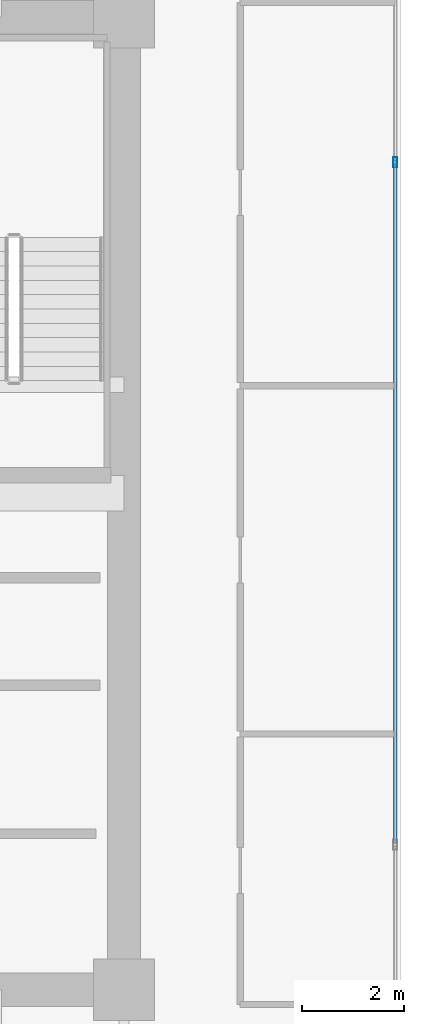
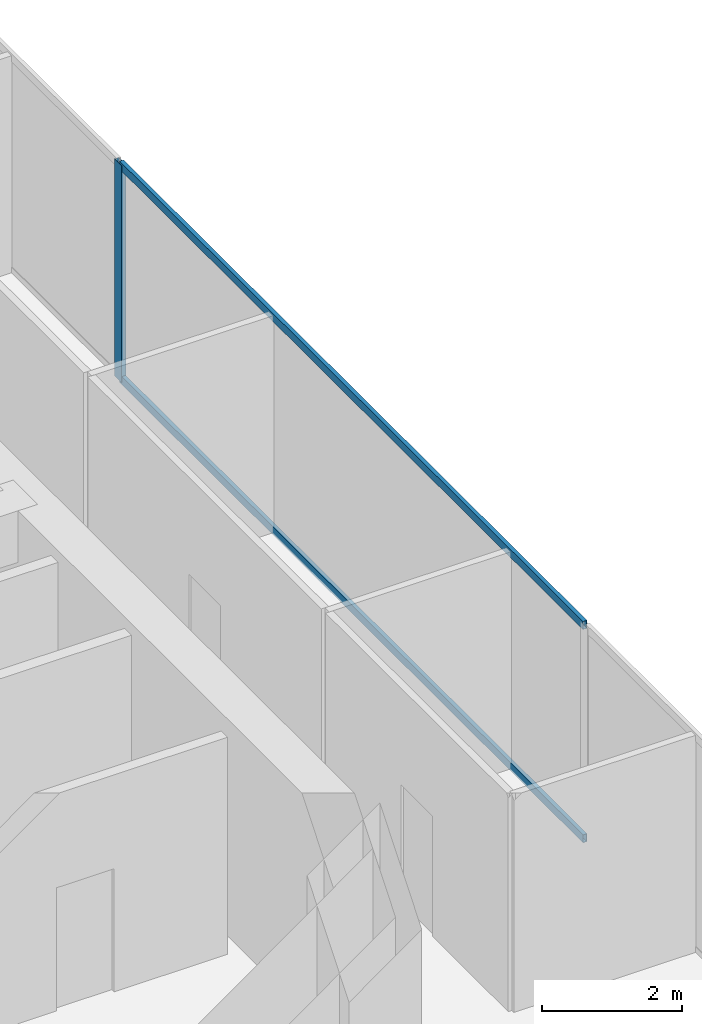
# One storey, part 20 of 30: 3 members, 1 element without a shape of its own.
"""IFC4 building model written with IfcOpenShell, lengths in metres."""

from ifc_helpers import new_model, si_unit, direction, frame, origin, origin_2d, place, context, subcontext, project, spatial, hollow_rectangle, extrude, source, transform, mapped, material, layer, layer_set, material_profile, profile_set, type_object, type_shapes, element, aggregate, save


model = new_model("IFC4")

# Units and contexts
model_context = context("Model", 3, precision=1e-05, world=origin(), true_north=direction((0.0, 1.0)))
body_context = subcontext(model_context, "Body", "Model", "MODEL_VIEW")
ifc_project = project(units=[si_unit("LENGTHUNIT", "METRE"), si_unit("AREAUNIT", "SQUARE_METRE"), si_unit("VOLUMEUNIT", "CUBIC_METRE"), si_unit("PLANEANGLEUNIT", "RADIAN"), si_unit("MASSUNIT", "GRAM", prefix="KILO")], contexts=[model_context])

# Site, building, storey
site_placement = place(None, origin())
site = spatial("IfcSite", under=ifc_project, at=site_placement, CompositionType="ELEMENT")
building_placement = place(site_placement, origin())
building = spatial("IfcBuilding", under=site, at=building_placement, Name="Haelvirn Gate Laboratories", CompositionType="ELEMENT")
storey_placement = place(building_placement, frame((0.0, 0.0, 146.10009765625)))
storey = spatial("IfcBuildingStorey", under=building, at=storey_placement, Name="L35", CompositionType="ELEMENT", Elevation=146.10009765625)

# Curtain wall, members
ifc_material_1 = material(Name="Anodised bronze unitised aluminium & triple low-E glass", Category="aluminium")
ifc_layer = layer(ifc_material_1, 0.179931640625, Name="CW-SYS-3")
ifc_layer_set = layer_set([ifc_layer], Name="Anodised bronze unitised aluminium & triple low-E glass")
curtain_wall_type = type_object("IfcCurtainWallType", Name="CW-SYS-3", PredefinedType="NOTDEFINED", material=ifc_layer_set)
curtain_wall_placement = place(storey_placement, origin())
curtain_wall = element("IfcCurtainWall", 1, at=curtain_wall_placement, inside=storey, type_object=curtain_wall_type, Name="L35 Unitised Curtain Wall CW-L35-P0-E07", PredefinedType="NOTDEFINED")
ifc_material_2 = material(Name="Extruded aluminium 6063-T6 (anodised bronze)", Category="aluminium")
ifc_material_profile_1 = material_profile(ifc_material_2, hollow_rectangle(XDim=0.06494140625, YDim=0.139892578125, WallThickness=0.00390625, at=origin_2d()), Name="CWT-140x65x4")
ifc_profile_set_1 = profile_set([ifc_material_profile_1], Name="Extruded aluminium 6063-T6 (anodised bronze)")
member_type_1 = type_object("IfcMemberType", Name="CWT-T140", PredefinedType="USERDEFINED", material=ifc_profile_set_1)
shared_shape_1 = source(origin(), body_context, "Body", "SweptSolid", [
    extrude(hollow_rectangle(XDim=0.06494140625, YDim=0.139892578125, WallThickness=0.00390625, at=origin_2d()), origin(), (0.0, 0.0, 1.0), 13.25830078125),
])
type_shapes(member_type_1, [shared_shape_1])
member_1_placement = place(storey_placement, frame((72.699951171875, 17.6708984375, 0.032470703125), z_axis=(0.0, 1.0, 0.0), x_axis=(-1.0, 0.0, 0.0)))
member_1 = element("IfcMember", 2, at=member_1_placement, type_object=member_type_1, Name="CW3 transom 2.1", ObjectType="TRANSOM", PredefinedType="USERDEFINED", context=body_context, shape_type="MappedRepresentation", body=[
    mapped(shared_shape_1, transform((0.0, 0.0, 0.0), scale=1.0)),
])
member_2_placement = place(storey_placement, frame((72.699951171875, 17.6708984375, 3.75732421875), z_axis=(0.0, 1.0, 0.0), x_axis=(-1.0, 0.0, 0.0)))
member_2 = element("IfcMember", 3, at=member_2_placement, type_object=member_type_1, Name="CW3 transom 2.2", ObjectType="TRANSOM", PredefinedType="USERDEFINED", context=body_context, shape_type="MappedRepresentation", body=[
    mapped(shared_shape_1, transform((0.0, 0.0, 0.0), scale=1.0)),
])
ifc_material_profile_2 = material_profile(ifc_material_2, hollow_rectangle(XDim=0.074951171875, YDim=0.199951171875, WallThickness=0.0048828125, at=origin_2d()), Name="CWM-200x75x5")
ifc_profile_set_2 = profile_set([ifc_material_profile_2], Name="Extruded aluminium 6063-T6 (anodised bronze)")
member_type_2 = type_object("IfcMemberType", Name="CWM-T200", PredefinedType="MULLION", material=ifc_profile_set_2)
shared_shape_2 = source(origin(), body_context, "Body", "SweptSolid", [
    extrude(hollow_rectangle(XDim=0.074951171875, YDim=0.199951171875, WallThickness=0.0048828125, at=origin_2d()), origin(), (0.0, 0.0, 1.0), 3.789794921875),
])
type_shapes(member_type_2, [shared_shape_2])
member_3_placement = place(storey_placement, frame((72.699951171875, 30.966552734375, 0.0), z_axis=(0.0, 0.0, 1.0), x_axis=(-1.0, 0.0, 0.0)))
member_3 = element("IfcMember", 4, at=member_3_placement, type_object=member_type_2, Name="CW3 mullion 3", PredefinedType="MULLION", context=body_context, shape_type="MappedRepresentation", body=[
    mapped(shared_shape_2, transform((0.0, 0.0, 0.0), scale=1.0)),
])
aggregate(curtain_wall, [member_3, member_1, member_2])

save(model, "model.ifc")
